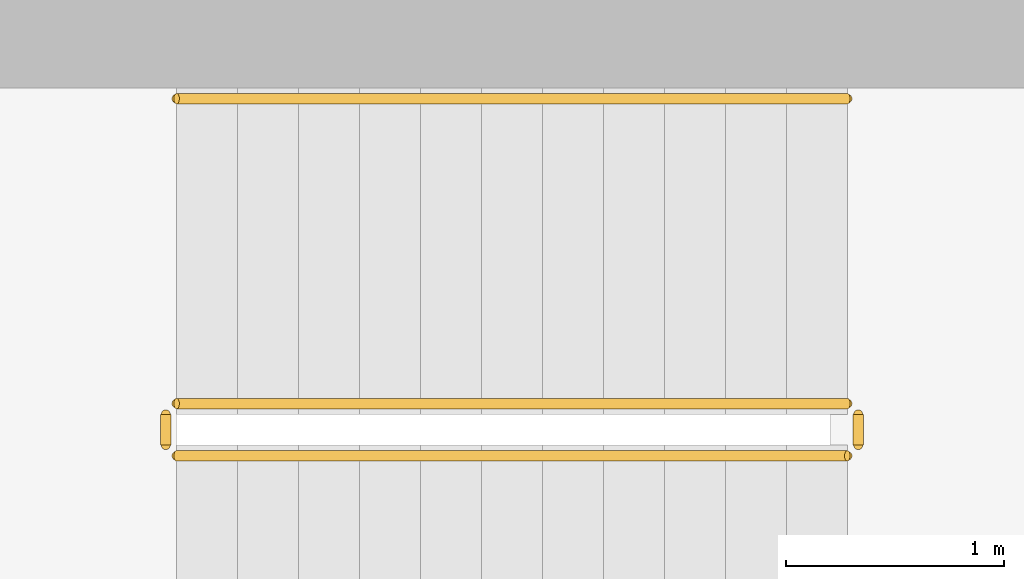
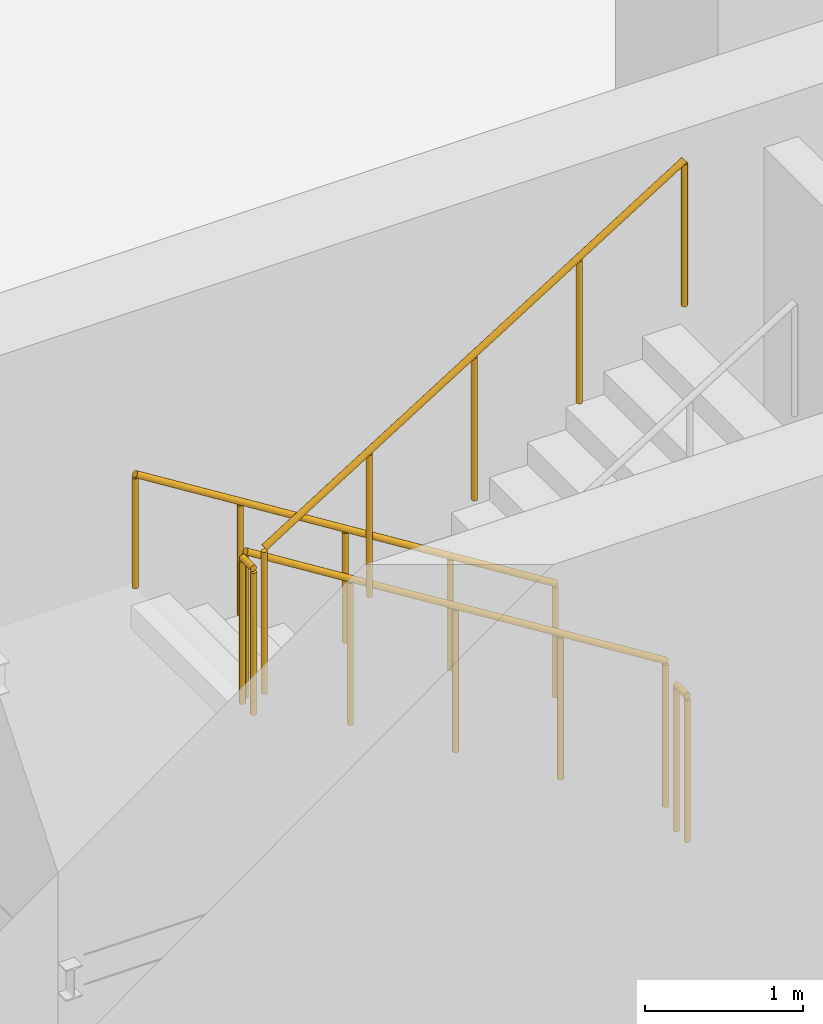
# One storey, part 12 of 13: 5 railings.
"""IFC4 building model written with IfcOpenShell, lengths in metres."""

from ifc_helpers import new_model, si_unit, derived_unit, direction, frame, origin, origin_2d, place, context, subcontext, project, spatial, circle, extrude, material, type_object, element, save


model = new_model("IFC4")

# Units and contexts
model_context = context("Model", 3, precision=1e-05, world=origin(), true_north=direction((0.0, 1.0)))
body_context = subcontext(model_context, "Body", "Model", "MODEL_VIEW")
ifc_project = project(units=[si_unit("LENGTHUNIT", "METRE"), si_unit("AREAUNIT", "SQUARE_METRE"), si_unit("VOLUMEUNIT", "CUBIC_METRE"), si_unit("PLANEANGLEUNIT", "RADIAN"), si_unit("MASSUNIT", "GRAM", prefix="KILO"), derived_unit("THERMALTRANSMITTANCEUNIT", [(si_unit("POWERUNIT", "WATT"), 1), (si_unit("LENGTHUNIT", "METRE"), -2), (si_unit("THERMODYNAMICTEMPERATUREUNIT", "KELVIN"), -1)])], contexts=[model_context])

# Site, building, storey
site_placement = place(None, origin())
site = spatial("IfcSite", under=ifc_project, at=site_placement, CompositionType="ELEMENT")
building_placement = place(site_placement, origin())
building = spatial("IfcBuilding", under=site, at=building_placement, Name="Kivonza Crest Hotel", CompositionType="ELEMENT")
storey_placement = place(building_placement, frame((0.0, 0.0, -4.199951171875)))
storey = spatial("IfcBuildingStorey", under=building, at=storey_placement, Name="B1", CompositionType="ELEMENT", Elevation=-4.199951171875)

# Railings
ifc_material_1 = material(Name="Brushed stainless steel handrail", Category="steel")
railing_type_1 = type_object("IfcRailingType", Name="RL-HAND-900", PredefinedType="HANDRAIL", material=ifc_material_1)
railing_1_placement = place(storey_placement, frame((12.239990234375, 36.110107421875, 0.175048828125)))
element("IfcRailing", 1, at=railing_1_placement, inside=storey, type_object=railing_type_1, Name="B1 ST-T1-N stair handrail 1", PredefinedType="HANDRAIL", context=body_context, shape_type="SweptSolid", body=[
    extrude(circle(Radius=0.02392578125, at=origin_2d()), frame((0.0, 0.0, 0.8759765625), z_axis=(-0.848028513186, 0.0, 0.529950602248), x_axis=(0.0, -1.0, 0.0)), (0.0, 0.0, 1.0), 3.632080078125),
    extrude(circle(Radius=0.02099609375, at=origin_2d()), origin(), (0.0, 0.0, 1.0), 0.851806640625),
    extrude(circle(Radius=0.02099609375, at=origin_2d()), frame((-0.77001953125, 0.0, 0.481201171875)), (0.0, 0.0, 1.0), 0.851806640625),
    extrude(circle(Radius=0.02099609375, at=origin_2d()), frame((-1.5400390625, 0.0, 0.96240234375)), (0.0, 0.0, 1.0), 0.851806640625),
    extrude(circle(Radius=0.02099609375, at=origin_2d()), frame((-2.31005859375, 0.0, 1.443603515625)), (0.0, 0.0, 1.0), 0.851806640625),
    extrude(circle(Radius=0.02099609375, at=origin_2d()), frame((-3.080078125, 0.0, 1.9248046875)), (0.0, 0.0, 1.0), 0.851806640625),
])
ifc_material_2 = material(Name="Painted steel balustrade", Category="steel")
railing_type_2 = type_object("IfcRailingType", Name="RL-STAIR-1150", PredefinedType="BALUSTRADE", material=ifc_material_2)
railing_2_placement = place(storey_placement, frame((12.239990234375, 34.7099609375, 0.175048828125)))
element("IfcRailing", 2, at=railing_2_placement, inside=storey, type_object=railing_type_2, Name="B1 ST-T1-N stair guard 1", PredefinedType="BALUSTRADE", context=body_context, shape_type="SweptSolid", body=[
    extrude(circle(Radius=0.02392578125, at=origin_2d()), frame((0.0, 0.0, 1.1259765625), z_axis=(-0.848028513186, 0.0, 0.529950602248), x_axis=(0.0, -1.0, 0.0)), (0.0, 0.0, 1.0), 3.632080078125),
    extrude(circle(Radius=0.02099609375, at=origin_2d()), origin(), (0.0, 0.0, 1.0), 1.101806640625),
    extrude(circle(Radius=0.02099609375, at=origin_2d()), frame((-0.77001953125, 0.0, 0.481201171875)), (0.0, 0.0, 1.0), 1.101806640625),
    extrude(circle(Radius=0.02099609375, at=origin_2d()), frame((-1.5400390625, 0.0, 0.96240234375)), (0.0, 0.0, 1.0), 1.101806640625),
    extrude(circle(Radius=0.02099609375, at=origin_2d()), frame((-2.31005859375, 0.0, 1.443603515625)), (0.0, 0.0, 1.0), 1.101806640625),
    extrude(circle(Radius=0.02099609375, at=origin_2d()), frame((-3.080078125, 0.0, 1.9248046875)), (0.0, 0.0, 1.0), 1.101806640625),
])
railing_3_placement = place(storey_placement, frame((9.110107421875, 34.659912109375, 2.099853515625)))
element("IfcRailing", 3, at=railing_3_placement, inside=storey, type_object=railing_type_2, Name="B1 ST-T1-N stair guard 2", PredefinedType="BALUSTRADE", context=body_context, shape_type="SweptSolid", body=[
    extrude(circle(Radius=0.02392578125, at=origin_2d()), frame((0.0, 0.0, 1.1259765625), z_axis=(0.0, -1.0, 0.0), x_axis=(1.0, 0.0, 0.0)), (0.0, 0.0, 1.0), 0.139892578125),
    extrude(circle(Radius=0.02099609375, at=origin_2d()), origin(), (0.0, 0.0, 1.0), 1.101806640625),
    extrude(circle(Radius=0.02099609375, at=origin_2d()), frame((0.0, -0.139892578125, 0.0)), (0.0, 0.0, 1.0), 1.101806640625),
])
railing_4_placement = place(storey_placement, frame((9.159912109375, 34.469970703125, 2.27490234375)))
element("IfcRailing", 4, at=railing_4_placement, inside=storey, type_object=railing_type_2, Name="B1 ST-T1-N stair guard 3", PredefinedType="BALUSTRADE", context=body_context, shape_type="SweptSolid", body=[
    extrude(circle(Radius=0.02392578125, at=origin_2d()), frame((0.0, 0.0, 1.1259765625), z_axis=(0.847998304005, 0.0, 0.529998940003), x_axis=(0.0, 1.0, 0.0)), (0.0, 0.0, 1.0), 3.632080078125),
    extrude(circle(Radius=0.02099609375, at=origin_2d()), origin(), (0.0, 0.0, 1.0), 1.101806640625),
    extrude(circle(Radius=0.02099609375, at=origin_2d()), frame((0.77001953125, 0.0, 0.481201171875)), (0.0, 0.0, 1.0), 1.101806640625),
    extrude(circle(Radius=0.02099609375, at=origin_2d()), frame((1.5400390625, 0.0, 0.96240234375)), (0.0, 0.0, 1.0), 1.101806640625),
    extrude(circle(Radius=0.02099609375, at=origin_2d()), frame((2.31005859375, 0.0, 1.44384765625)), (0.0, 0.0, 1.0), 1.101806640625),
    extrude(circle(Radius=0.02099609375, at=origin_2d()), frame((3.080078125, 0.0, 1.925048828125)), (0.0, 0.0, 1.0), 1.101806640625),
])
railing_5_placement = place(storey_placement, frame((12.2900390625, 34.659912109375, 0.0)))
element("IfcRailing", 5, at=railing_5_placement, inside=storey, type_object=railing_type_2, Name="B1 ST-T1-N stair guard 4", PredefinedType="BALUSTRADE", context=body_context, shape_type="SweptSolid", body=[
    extrude(circle(Radius=0.02392578125, at=origin_2d()), frame((0.0, 0.0, 1.1259765625), z_axis=(0.0, -1.0, 0.0), x_axis=(1.0, 0.0, 0.0)), (0.0, 0.0, 1.0), 0.139892578125),
    extrude(circle(Radius=0.02099609375, at=origin_2d()), origin(), (0.0, 0.0, 1.0), 1.101806640625),
    extrude(circle(Radius=0.02099609375, at=origin_2d()), frame((0.0, -0.139892578125, 0.0)), (0.0, 0.0, 1.0), 1.101806640625),
])

save(model, "model.ifc")
